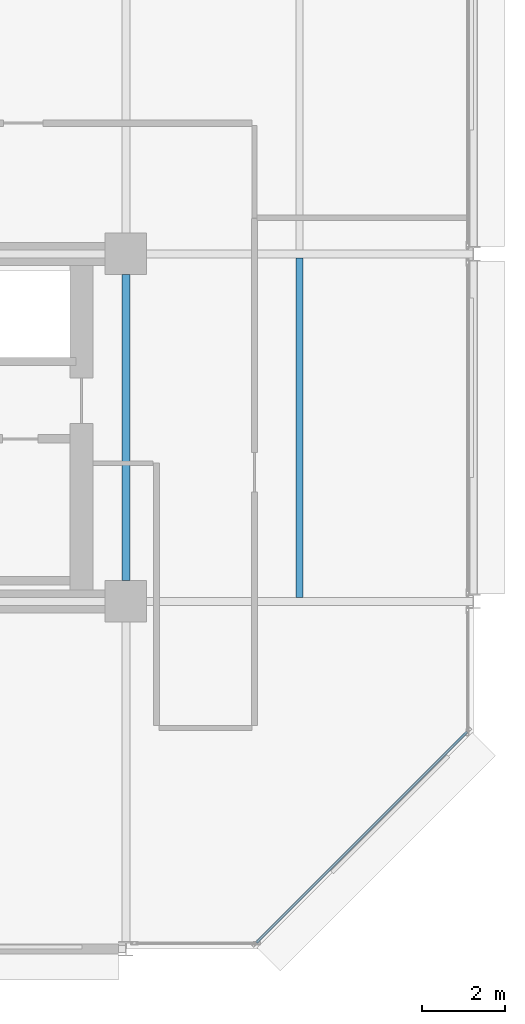
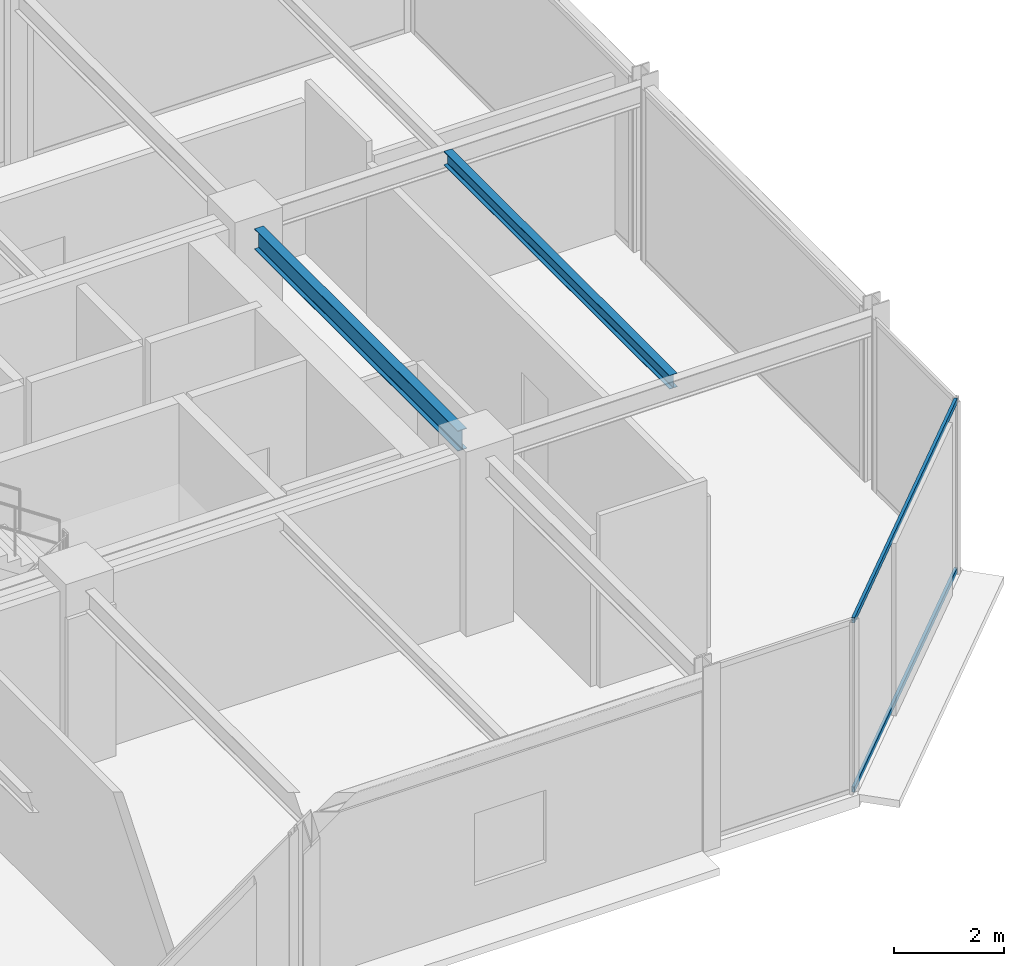
# One storey, part 12 of 29: 2 beams, 2 members, 1 element without a shape of its own.
"""IFC4 building model written with IfcOpenShell, lengths in metres."""

from ifc_helpers import new_model, si_unit, direction, frame, origin, origin_2d, place, context, subcontext, project, spatial, hollow_rectangle, i_section, extrude, material, layer, layer_set, material_profile, profile_set, type_object, element, aggregate, save


model = new_model("IFC4")

# Units and contexts
model_context = context("Model", 3, precision=1e-05, world=origin(), true_north=direction((0.0, 1.0)))
body_context = subcontext(model_context, "Body", "Model", "MODEL_VIEW")
ifc_project = project(units=[si_unit("LENGTHUNIT", "METRE"), si_unit("AREAUNIT", "SQUARE_METRE"), si_unit("VOLUMEUNIT", "CUBIC_METRE"), si_unit("PLANEANGLEUNIT", "RADIAN"), si_unit("MASSUNIT", "GRAM", prefix="KILO")], contexts=[model_context])

# Site, building, storey
site_placement = place(None, origin())
site = spatial("IfcSite", under=ifc_project, at=site_placement, CompositionType="ELEMENT")
building_placement = place(site_placement, origin())
building = spatial("IfcBuilding", under=site, at=building_placement, Name="Nerrivon Quay Data Exchange", CompositionType="ELEMENT")
storey_placement = place(building_placement, frame((0.0, 0.0, 204.199951171875)))
storey = spatial("IfcBuildingStorey", under=building, at=storey_placement, Name="L48", CompositionType="ELEMENT", Elevation=204.199951171875)

# Beams
ifc_material_1 = material(Name="Steel Grade 350", Category="steel")
ifc_material_profile_1 = material_profile(ifc_material_1, i_section(OverallWidth=0.18994140625, OverallDepth=0.4541015625, WebThickness=0.008544921875, FlangeThickness=0.0126953125, FilletRadius=0.011474609375, at=origin_2d()), Name="460UB67.1")
ifc_profile_set_1 = profile_set([ifc_material_profile_1], Name="Steel Grade 350")
beam_type_1 = type_object("IfcBeamType", Name="BM-G6-460UB67", PredefinedType="BEAM", material=ifc_profile_set_1)
beam_1_placement = place(storey_placement, frame((33.60009765625, 8.89990234375, 3.59814453125), z_axis=(0.0, 1.0, 0.0), x_axis=(-1.0, 0.0, 0.0)))
element("IfcBeam", 1, at=beam_1_placement, inside=storey, type_object=beam_type_1, Name="L48 NS Girder X=33.6 (8.4..16.8)", PredefinedType="BEAM", context=body_context, shape_type="SweptSolid", body=[
    extrude(i_section(OverallWidth=0.18994140625, OverallDepth=0.4541015625, WebThickness=0.008544921875, FlangeThickness=0.0126953125, FilletRadius=0.011474609375, at=origin_2d()), origin(), (0.0, 0.0, 1.0), 7.400146484375),
])
ifc_material_profile_2 = material_profile(ifc_material_1, i_section(OverallWidth=0.166015625, OverallDepth=0.306884765625, WebThickness=0.006591796875, FlangeThickness=0.01171875, FilletRadius=0.011474609375, at=origin_2d()), Name="310UB46.2")
ifc_profile_set_2 = profile_set([ifc_material_profile_2], Name="Steel Grade 350")
beam_type_2 = type_object("IfcBeamType", Name="BM-J5-310UB46", PredefinedType="JOIST", material=ifc_profile_set_2)
beam_2_placement = place(storey_placement, frame((37.800048828125, 8.49560546875, 3.671630859375), z_axis=(0.0, 1.0, 0.0), x_axis=(-1.0, 0.0, 0.0)))
element("IfcBeam", 2, at=beam_2_placement, inside=storey, type_object=beam_type_2, Name="L48 Secondary Joist X=37.8 (8.4..16.8)", PredefinedType="JOIST", context=body_context, shape_type="SweptSolid", body=[
    extrude(i_section(OverallWidth=0.166015625, OverallDepth=0.306884765625, WebThickness=0.006591796875, FlangeThickness=0.01171875, FilletRadius=0.011474609375, at=origin_2d()), origin(), (0.0, 0.0, 1.0), 8.208984375),
])

# Curtain wall, members
ifc_material_2 = material(Name="Anodised aluminium 6063-T6", Category="aluminium")
ifc_layer = layer(ifc_material_2, 0.195068359375)
ifc_layer_set = layer_set([ifc_layer], Name="Anodised aluminium 6063-T6")
curtain_wall_type = type_object("IfcCurtainWallType", Name="CW-SYS-06", PredefinedType="NOTDEFINED", material=ifc_layer_set)
curtain_wall_placement = place(storey_placement, origin())
curtain_wall = element("IfcCurtainWall", 3, at=curtain_wall_placement, inside=storey, type_object=curtain_wall_type, Name="L48 Unitised Curtain Wall 21", PredefinedType="NOTDEFINED")
ifc_material_profile_3 = material_profile(ifc_material_2, hollow_rectangle(XDim=0.06005859375, YDim=0.1201171875, WallThickness=0.003173828125, at=origin_2d()), Name="ALU-TRAN-120x60")
ifc_profile_set_3 = profile_set([ifc_material_profile_3], Name="Anodised aluminium 6063-T6")
member_type = type_object("IfcMemberType", Name="CWT-120x60", PredefinedType="USERDEFINED", material=ifc_profile_set_3)
member_1_placement = place(storey_placement, frame((41.847900390625, 5.245849609375, 0.032470703125), z_axis=(-0.707106781187, -0.707106781187, 0.0), x_axis=(0.707106781187, -0.707106781187, 0.0)))
member_1 = element("IfcMember", 4, at=member_1_placement, type_object=member_type, Name="CW06 transom 1.1", ObjectType="TRANSOM", PredefinedType="USERDEFINED", context=body_context, shape_type="SweptSolid", body=[
    extrude(hollow_rectangle(XDim=0.06005859375, YDim=0.1201171875, WallThickness=0.003173828125, at=origin_2d()), origin(), (0.0, 0.0, 1.0), 7.20361328125),
])
member_2_placement = place(storey_placement, frame((41.847900390625, 5.245849609375, 3.79248046875), z_axis=(-0.707106781187, -0.707106781187, 0.0), x_axis=(0.707106781187, -0.707106781187, 0.0)))
member_2 = element("IfcMember", 5, at=member_2_placement, type_object=member_type, Name="CW06 transom 1.2", ObjectType="TRANSOM", PredefinedType="USERDEFINED", context=body_context, shape_type="SweptSolid", body=[
    extrude(hollow_rectangle(XDim=0.06005859375, YDim=0.1201171875, WallThickness=0.003173828125, at=origin_2d()), origin(), (0.0, 0.0, 1.0), 7.20361328125),
])
aggregate(curtain_wall, [member_1, member_2])

save(model, "model.ifc")
